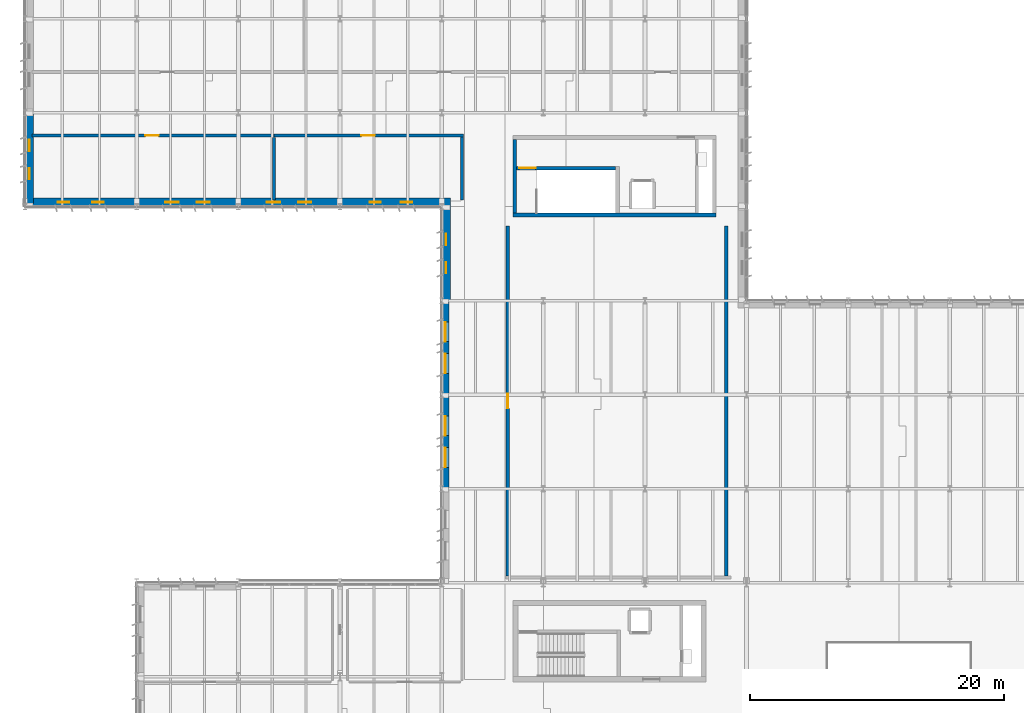
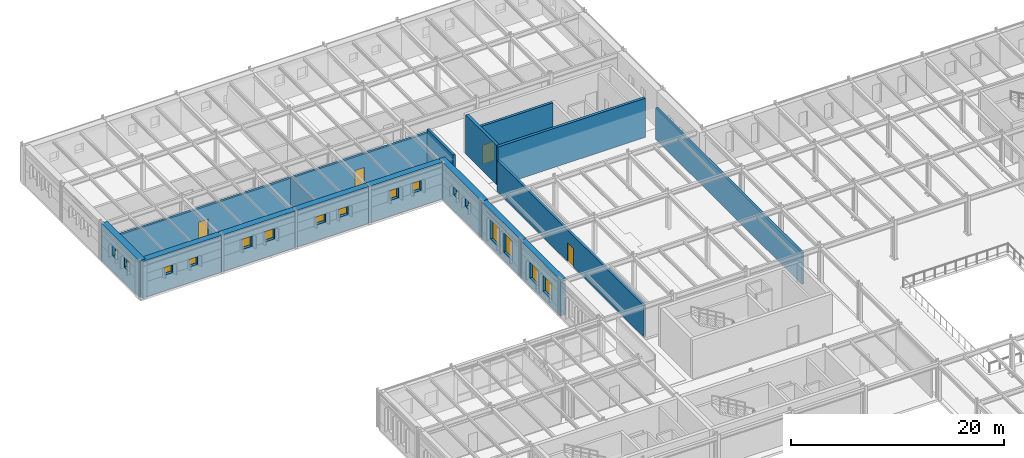
# One storey, part 45 of 75: 17 walls, 16 windows, 4 doors, 20 openings.
"""IFC4 building model written with IfcOpenShell, lengths in metres."""

from ifc_helpers import new_model, si_unit, direction, frame, frame_2d, origin, place, context, subcontext, project, spatial, rectangle, extrude, material, layer, layer_set, type_object, element, fill, save


model = new_model("IFC4")

# Units and contexts
model_context = context("Model", 3, precision=1e-05, world=origin(), true_north=direction((0.0, 1.0)))
body_context = subcontext(model_context, "Body", "Model", "MODEL_VIEW")
ifc_project = project(units=[si_unit("LENGTHUNIT", "METRE"), si_unit("AREAUNIT", "SQUARE_METRE"), si_unit("VOLUMEUNIT", "CUBIC_METRE"), si_unit("PLANEANGLEUNIT", "RADIAN"), si_unit("MASSUNIT", "GRAM", prefix="KILO")], contexts=[model_context])

# Site, building, storey
site_placement = place(None, origin())
site = spatial("IfcSite", under=ifc_project, at=site_placement, CompositionType="ELEMENT")
building_placement = place(site_placement, origin())
building = spatial("IfcBuilding", under=site, at=building_placement, Name="Valkorina Park Police Headquarters", CompositionType="ELEMENT")
storey_placement = place(building_placement, frame((0.0, 0.0, 5.39990234375)))
storey = spatial("IfcBuildingStorey", under=building, at=storey_placement, Name="L02", CompositionType="ELEMENT", Elevation=5.39990234375)

# Walls
ifc_material_1 = material(Name="Concrete C40/50", Category="concrete")
ifc_layer_1 = layer(ifc_material_1, 0.300048828125)
ifc_layer_set_1 = layer_set([ifc_layer_1], Name="Concrete C40/50")
wall_type_1 = type_object("IfcWallType", Name="WL-CORE-300-REI120", PredefinedType="SHEAR", material=ifc_layer_set_1)
wall_1_placement = place(storey_placement, frame((38.39990234375, 88.14990234375, 0.0), z_axis=(0.0, 0.0, 1.0), x_axis=(1.0, 0.0, 0.0)))
element("IfcWall", 1, at=wall_1_placement, inside=storey, type_object=wall_type_1, Name="Core C4 L02 Shear Wall S", PredefinedType="SHEAR", context=body_context, shape_type="SweptSolid", body=[
    extrude(rectangle(XDim=16.0, YDim=0.300048828125, at=frame_2d((8.0, 0.0))), origin(), (0.0, 0.0, 1.0), 4.4951171875),
])
wall_2_placement = place(storey_placement, frame((38.550048828125, 88.300048828125, 0.0), z_axis=(0.0, 0.0, 1.0), x_axis=(0.0, 1.0, 0.0)))
element("IfcWall", 2, at=wall_2_placement, inside=storey, type_object=wall_type_1, Name="Core C4 L02 Shear Wall W", PredefinedType="SHEAR", context=body_context, shape_type="SweptSolid", body=[
    extrude(rectangle(XDim=5.800048828125, YDim=0.300048828125, at=frame_2d((2.89990234375, 0.0))), origin(), (0.0, 0.0, 1.0), 4.4951171875),
])

# Wall, opening, door
ifc_layer_2 = layer(ifc_material_1, 0.25)
ifc_layer_set_2 = layer_set([ifc_layer_2], Name="Concrete C40/50")
wall_type_2 = type_object("IfcWallType", Name="WL-CUST-250-REI120", PredefinedType="SOLIDWALL", material=ifc_layer_set_2)
wall_3_placement = place(storey_placement, frame((0.5400390625, 94.39990234375, 0.0), z_axis=(0.0, 0.0, 1.0), x_axis=(1.0, 0.0, 0.0)))
wall_3 = element("IfcWall", 3, at=wall_3_placement, inside=storey, type_object=wall_type_2, Name="L02 Interior Partition 0133 (L02-CELL-C)", PredefinedType="SOLIDWALL", context=body_context, shape_type="SweptSolid", body=[
    extrude(rectangle(XDim=19.06005859375, YDim=0.25, at=frame_2d((9.530029296875, 0.0))), origin(), (0.0, 0.0, 1.0), 3.710205078125),
])
opening_1_placement = place(wall_3_placement, frame((8.93505859375, 0.0, 0.0)))
opening_1 = element("IfcOpeningElement", 4, at=opening_1_placement, cuts=wall_3, Name="Opening FD-01", PredefinedType="OPENING", context=body_context, shape_type="SweptSolid", body=[
    extrude(rectangle(XDim=1.050048828125, YDim=2.14990234375, at=frame_2d((0.52490234375, 1.074951171875))), frame((0.0, 0.135009765625, 0.0), z_axis=(0.0, -1.0, 0.0), x_axis=(1.0, 0.0, 0.0)), (0.0, 0.0, 1.0), 0.27001953125),
])
ifc_material_2 = material(Name="Galvanized steel door leaf", Category="steel")
ifc_layer_3 = layer(ifc_material_2, 0.050048828125)
ifc_layer_set_3 = layer_set([ifc_layer_3], Name="Galvanized steel door leaf")
door_type_1 = type_object("IfcDoorType", Name="DR-FIRE-CELL-1050x2150", OperationType="NOTDEFINED", PredefinedType="DOOR", material=ifc_layer_set_3)
door_1_placement = place(opening_1_placement, origin())
door_1 = element("IfcDoor", 5, at=door_1_placement, inside=storey, type_object=door_type_1, Name="Door D-L02-I061 (L02-CELL-C)", OperationType="SINGLE_SWING_RIGHT", OverallHeight=2.14990234375, OverallWidth=1.050048828125, PredefinedType="DOOR", context=body_context, shape_type="SweptSolid", body=[
    extrude(rectangle(XDim=1.050048828125, YDim=2.14990234375, at=frame_2d((0.52490234375, 1.074951171875))), frame((0.0, 0.02490234375, 0.0), z_axis=(0.0, -1.0, 0.0), x_axis=(1.0, 0.0, 0.0)), (0.0, 0.0, 1.0), 0.050048828125),
])
fill(opening_1, door_1)

# Wall
wall_4_placement = place(storey_placement, frame((19.60009765625, 89.340087890625, 0.0), z_axis=(0.0, 0.0, 1.0), x_axis=(0.0, 1.0, 0.0)))
element("IfcWall", 6, at=wall_4_placement, inside=storey, type_object=wall_type_2, Name="L02 Interior Partition 0134 (L02-CELL-C)", PredefinedType="SOLIDWALL", context=body_context, shape_type="SweptSolid", body=[
    extrude(rectangle(XDim=4.919921875, YDim=0.25, at=frame_2d((2.4599609375, 0.0))), origin(), (0.0, 0.0, 1.0), 3.840087890625),
])

# Wall, opening, door
wall_5_placement = place(storey_placement, frame((19.60009765625, 94.39990234375, 0.0), z_axis=(0.0, 0.0, 1.0), x_axis=(1.0, 0.0, 0.0)))
wall_5 = element("IfcWall", 7, at=wall_5_placement, inside=storey, type_object=wall_type_2, Name="L02 Interior Partition 0135 (L02-CELL-D)", PredefinedType="SOLIDWALL", context=body_context, shape_type="SweptSolid", body=[
    extrude(rectangle(XDim=14.9248046875, YDim=0.25, at=frame_2d((7.46240234375, 0.0))), origin(), (0.0, 0.0, 1.0), 3.710205078125),
])
opening_2_placement = place(wall_5_placement, frame((6.875, 0.0, 0.0)))
opening_2 = element("IfcOpeningElement", 8, at=opening_2_placement, cuts=wall_5, Name="Opening FD-01", PredefinedType="OPENING", context=body_context, shape_type="SweptSolid", body=[
    extrude(rectangle(XDim=1.050048828125, YDim=2.14990234375, at=frame_2d((0.52490234375, 1.074951171875))), frame((0.0, 0.135009765625, 0.0), z_axis=(0.0, -1.0, 0.0), x_axis=(1.0, 0.0, 0.0)), (0.0, 0.0, 1.0), 0.27001953125),
])
door_2_placement = place(opening_2_placement, origin())
door_2 = element("IfcDoor", 9, at=door_2_placement, inside=storey, type_object=door_type_1, Name="Door D-L02-I062 (L02-CELL-D)", OperationType="SINGLE_SWING_LEFT", OverallHeight=2.14990234375, OverallWidth=1.050048828125, PredefinedType="DOOR", context=body_context, shape_type="SweptSolid", body=[
    extrude(rectangle(XDim=1.050048828125, YDim=2.14990234375, at=frame_2d((0.52490234375, 1.074951171875))), frame((0.0, 0.02490234375, 0.0), z_axis=(0.0, -1.0, 0.0), x_axis=(1.0, 0.0, 0.0)), (0.0, 0.0, 1.0), 0.050048828125),
])
fill(opening_2, door_2)

# Wall
wall_6_placement = place(storey_placement, frame((34.39990234375, 89.340087890625, 0.0), z_axis=(0.0, 0.0, 1.0), x_axis=(0.0, 1.0, 0.0)))
element("IfcWall", 10, at=wall_6_placement, inside=storey, type_object=wall_type_2, Name="L02 Interior Partition 0136 (L02-CELL-D)", PredefinedType="SOLIDWALL", context=body_context, shape_type="SweptSolid", body=[
    extrude(rectangle(XDim=4.934814453125, YDim=0.25, at=frame_2d((2.46728515625, 0.0))), origin(), (0.0, 0.0, 1.0), 4.170166015625),
])

# Wall, opening, door
wall_7_placement = place(storey_placement, frame((38.0, 59.72509765625, 0.0), z_axis=(0.0, 0.0, 1.0), x_axis=(0.0, 1.0, 0.0)))
wall_7 = element("IfcWall", 11, at=wall_7_placement, inside=storey, type_object=wall_type_2, Name="L02 Interior Partition 0139 (L02-CUS-MED)", PredefinedType="SOLIDWALL", context=body_context, shape_type="SweptSolid", body=[
    extrude(rectangle(XDim=27.534912109375, YDim=0.25, at=frame_2d((13.767578125, 0.0))), origin(), (0.0, 0.0, 1.0), 3.60009765625),
])
opening_3_placement = place(wall_7_placement, frame((13.199951171875, 0.0, 0.0)))
opening_3 = element("IfcOpeningElement", 12, at=opening_3_placement, cuts=wall_7, Name="Opening FD-02", PredefinedType="OPENING", context=body_context, shape_type="SweptSolid", body=[
    extrude(rectangle(XDim=1.14990234375, YDim=2.14990234375, at=frame_2d((0.574951171875, 1.074951171875))), frame((0.0, 0.135009765625, 0.0), z_axis=(0.0, -1.0, 0.0), x_axis=(1.0, 0.0, 0.0)), (0.0, 0.0, 1.0), 0.27001953125),
])
ifc_layer_4 = layer(ifc_material_2, 0.050048828125)
ifc_layer_set_4 = layer_set([ifc_layer_4], Name="Galvanized steel door leaf")
door_type_2 = type_object("IfcDoorType", Name="DR-FIRE-CUST-1150x2150", OperationType="NOTDEFINED", PredefinedType="DOOR", material=ifc_layer_set_4)
door_3_placement = place(opening_3_placement, origin())
door_3 = element("IfcDoor", 13, at=door_3_placement, inside=storey, type_object=door_type_2, Name="Door D-L02-I064 (L02-CUS-MED)", OperationType="SINGLE_SWING_LEFT", OverallHeight=2.14990234375, OverallWidth=1.14990234375, PredefinedType="DOOR", context=body_context, shape_type="SweptSolid", body=[
    extrude(rectangle(XDim=1.14990234375, YDim=2.14990234375, at=frame_2d((0.574951171875, 1.074951171875))), frame((0.0, 0.02490234375, 0.0), z_axis=(0.0, -1.0, 0.0), x_axis=(1.0, 0.0, 0.0)), (0.0, 0.0, 1.0), 0.050048828125),
])
fill(opening_3, door_3)

# Wall
wall_8_placement = place(storey_placement, frame((55.199951171875, 59.72509765625, 0.0), z_axis=(0.0, 0.0, 1.0), x_axis=(0.0, 1.0, 0.0)))
element("IfcWall", 14, at=wall_8_placement, inside=storey, type_object=wall_type_2, Name="L02 Interior Partition 0140 (L02-CUS-MED)", PredefinedType="SOLIDWALL", context=body_context, shape_type="SweptSolid", body=[
    extrude(rectangle(XDim=27.534912109375, YDim=0.25, at=frame_2d((13.767578125, 0.0))), origin(), (0.0, 0.0, 1.0), 3.60009765625),
])

# Wall, openings, windows
ifc_material_3 = material(Name="Concrete C35/45", Category="concrete")
ifc_layer_5 = layer(ifc_material_3, 0.580078125)
ifc_layer_set_5 = layer_set([ifc_layer_5], Name="Concrete C35/45")
wall_type_3 = type_object("IfcWallType", Name="WL-EXT-BOARD-580", PredefinedType="STANDARD", material=ifc_layer_set_5)
wall_9_placement = place(storey_placement, frame((33.090087890625, 66.60009765625, 0.0), z_axis=(0.0, 0.0, 1.0), x_axis=(0.0, 1.0, 0.0)))
wall_9 = element("IfcWall", 15, at=wall_9_placement, inside=storey, type_object=wall_type_3, Name="L02 Architectural Concrete Exterior Wall 0114", PredefinedType="STANDARD", context=body_context, shape_type="SweptSolid", body=[
    extrude(rectangle(XDim=7.39990234375, YDim=0.580078125, at=frame_2d((3.699951171875, 0.0))), origin(), (0.0, 0.0, 1.0), 4.170166015625),
])
opening_4_placement = place(wall_9_placement, frame((1.677490234375, 0.0, 0.89990234375)))
opening_4 = element("IfcOpeningElement", 16, at=opening_4_placement, cuts=wall_9, Name="Opening WN-26", PredefinedType="OPENING", context=body_context, shape_type="SweptSolid", body=[
    extrude(rectangle(XDim=1.550048828125, YDim=1.85009765625, at=frame_2d((0.77490234375, 0.925048828125))), frame((0.0, 0.300048828125, 0.0), z_axis=(0.0, -1.0, 0.0), x_axis=(1.0, 0.0, 0.0)), (0.0, 0.0, 1.0), 0.60009765625),
])
opening_5_placement = place(wall_9_placement, frame((4.17236328125, 0.0, 0.89990234375)))
opening_5 = element("IfcOpeningElement", 17, at=opening_5_placement, cuts=wall_9, Name="Opening WN-26", PredefinedType="OPENING", context=body_context, shape_type="SweptSolid", body=[
    extrude(rectangle(XDim=1.550048828125, YDim=1.85009765625, at=frame_2d((0.77490234375, 0.925048828125))), frame((0.0, 0.300048828125, 0.0), z_axis=(0.0, -1.0, 0.0), x_axis=(1.0, 0.0, 0.0)), (0.0, 0.0, 1.0), 0.60009765625),
])
ifc_material_4 = material(Name="Triple low-E insulated glazing", Category="glass")
ifc_layer_6 = layer(ifc_material_4, 0.06005859375)
ifc_layer_set_6 = layer_set([ifc_layer_6], Name="Triple low-E insulated glazing")
window_type_1 = type_object("IfcWindowType", Name="WN-COURT-1550x1850", PartitioningType="SINGLE_PANEL", PredefinedType="WINDOW", material=ifc_layer_set_6)
window_1_placement = place(opening_4_placement, origin())
window_1 = element("IfcWindow", 18, at=window_1_placement, inside=storey, type_object=window_type_1, Name="Window L02-0180", OverallHeight=1.85009765625, OverallWidth=1.550048828125, PartitioningType="SINGLE_PANEL", PredefinedType="WINDOW", context=body_context, shape_type="SweptSolid", body=[
    extrude(rectangle(XDim=1.550048828125, YDim=1.85009765625, at=frame_2d((0.77490234375, 0.925048828125))), frame((0.0, 0.030029296875, 0.0), z_axis=(0.0, -1.0, 0.0), x_axis=(1.0, 0.0, 0.0)), (0.0, 0.0, 1.0), 0.06005859375),
])
fill(opening_4, window_1)
window_2_placement = place(opening_5_placement, origin())
window_2 = element("IfcWindow", 19, at=window_2_placement, inside=storey, type_object=window_type_1, Name="Window L02-0181", OverallHeight=1.85009765625, OverallWidth=1.550048828125, PartitioningType="SINGLE_PANEL", PredefinedType="WINDOW", context=body_context, shape_type="SweptSolid", body=[
    extrude(rectangle(XDim=1.550048828125, YDim=1.85009765625, at=frame_2d((0.77490234375, 0.925048828125))), frame((0.0, 0.030029296875, 0.0), z_axis=(0.0, -1.0, 0.0), x_axis=(1.0, 0.0, 0.0)), (0.0, 0.0, 1.0), 0.06005859375),
])
fill(opening_5, window_2)

wall_10_placement = place(storey_placement, frame((33.090087890625, 74.0, 0.0), z_axis=(0.0, 0.0, 1.0), x_axis=(0.0, 1.0, 0.0)))
wall_10 = element("IfcWall", 20, at=wall_10_placement, inside=storey, type_object=wall_type_3, Name="L02 Architectural Concrete Exterior Wall 0115", PredefinedType="STANDARD", context=body_context, shape_type="SweptSolid", body=[
    extrude(rectangle(XDim=7.39990234375, YDim=0.580078125, at=frame_2d((3.699951171875, 0.0))), origin(), (0.0, 0.0, 1.0), 4.22021484375),
])
opening_6_placement = place(wall_10_placement, frame((1.677490234375, 0.0, 0.89990234375)))
opening_6 = element("IfcOpeningElement", 21, at=opening_6_placement, cuts=wall_10, Name="Opening WN-27", PredefinedType="OPENING", context=body_context, shape_type="SweptSolid", body=[
    extrude(rectangle(XDim=1.550048828125, YDim=2.25, at=frame_2d((0.77490234375, 1.125))), frame((0.0, 0.300048828125, 0.0), z_axis=(0.0, -1.0, 0.0), x_axis=(1.0, 0.0, 0.0)), (0.0, 0.0, 1.0), 0.60009765625),
])
opening_7_placement = place(wall_10_placement, frame((4.17236328125, 0.0, 0.89990234375)))
opening_7 = element("IfcOpeningElement", 22, at=opening_7_placement, cuts=wall_10, Name="Opening WN-27", PredefinedType="OPENING", context=body_context, shape_type="SweptSolid", body=[
    extrude(rectangle(XDim=1.550048828125, YDim=2.25, at=frame_2d((0.77490234375, 1.125))), frame((0.0, 0.300048828125, 0.0), z_axis=(0.0, -1.0, 0.0), x_axis=(1.0, 0.0, 0.0)), (0.0, 0.0, 1.0), 0.60009765625),
])
ifc_layer_7 = layer(ifc_material_4, 0.06005859375)
ifc_layer_set_7 = layer_set([ifc_layer_7], Name="Triple low-E insulated glazing")
window_type_2 = type_object("IfcWindowType", Name="WN-COURT-1550x2250", PartitioningType="SINGLE_PANEL", PredefinedType="WINDOW", material=ifc_layer_set_7)
window_3_placement = place(opening_6_placement, origin())
window_3 = element("IfcWindow", 23, at=window_3_placement, inside=storey, type_object=window_type_2, Name="Window L02-0182", OverallHeight=2.25, OverallWidth=1.550048828125, PartitioningType="SINGLE_PANEL", PredefinedType="WINDOW", context=body_context, shape_type="SweptSolid", body=[
    extrude(rectangle(XDim=1.550048828125, YDim=2.25, at=frame_2d((0.77490234375, 1.125))), frame((0.0, 0.030029296875, 0.0), z_axis=(0.0, -1.0, 0.0), x_axis=(1.0, 0.0, 0.0)), (0.0, 0.0, 1.0), 0.06005859375),
])
fill(opening_6, window_3)
window_4_placement = place(opening_7_placement, origin())
window_4 = element("IfcWindow", 24, at=window_4_placement, inside=storey, type_object=window_type_2, Name="Window L02-0183", OverallHeight=2.25, OverallWidth=1.550048828125, PartitioningType="SINGLE_PANEL", PredefinedType="WINDOW", context=body_context, shape_type="SweptSolid", body=[
    extrude(rectangle(XDim=1.550048828125, YDim=2.25, at=frame_2d((0.77490234375, 1.125))), frame((0.0, 0.030029296875, 0.0), z_axis=(0.0, -1.0, 0.0), x_axis=(1.0, 0.0, 0.0)), (0.0, 0.0, 1.0), 0.06005859375),
])
fill(opening_7, window_4)

ifc_material_5 = material(Name="Precast concrete C40/50", Category="concrete")
ifc_layer_8 = layer(ifc_material_5, 0.679931640625)
ifc_layer_set_8 = layer_set([ifc_layer_8], Name="Precast concrete C40/50")
wall_type_4 = type_object("IfcWallType", Name="WL-EXT-DOLOMITE-680", PredefinedType="SOLIDWALL", material=ifc_layer_set_8)
wall_11_placement = place(storey_placement, frame((33.139892578125, 81.39990234375, 0.0), z_axis=(0.0, 0.0, 1.0), x_axis=(0.0, 1.0, 0.0)))
wall_11 = element("IfcWall", 25, at=wall_11_placement, inside=storey, type_object=wall_type_4, Name="L02 Architectural Concrete Exterior Wall 0116", PredefinedType="SOLIDWALL", context=body_context, shape_type="SweptSolid", body=[
    extrude(rectangle(XDim=8.080078125, YDim=0.679931640625, at=frame_2d((4.0400390625, 0.0))), origin(), (0.0, 0.0, 1.0), 4.22021484375),
])
opening_8_placement = place(wall_11_placement, frame((2.14111328125, 0.0, 1.800048828125)))
opening_8 = element("IfcOpeningElement", 26, at=opening_8_placement, cuts=wall_11, Name="Opening WN-13", PredefinedType="OPENING", context=body_context, shape_type="SweptSolid", body=[
    extrude(rectangle(XDim=0.89990234375, YDim=0.89990234375, at=frame_2d((0.449951171875, 0.449951171875))), frame((0.0, 0.35009765625, 0.0), z_axis=(0.0, -1.0, 0.0), x_axis=(1.0, 0.0, 0.0)), (0.0, 0.0, 1.0), 0.699951171875),
])
opening_9_placement = place(wall_11_placement, frame((4.35888671875, 0.0, 1.800048828125)))
opening_9 = element("IfcOpeningElement", 27, at=opening_9_placement, cuts=wall_11, Name="Opening WN-13", PredefinedType="OPENING", context=body_context, shape_type="SweptSolid", body=[
    extrude(rectangle(XDim=0.89990234375, YDim=0.89990234375, at=frame_2d((0.449951171875, 0.449951171875))), frame((0.0, 0.35009765625, 0.0), z_axis=(0.0, -1.0, 0.0), x_axis=(1.0, 0.0, 0.0)), (0.0, 0.0, 1.0), 0.699951171875),
])
ifc_material_6 = material(Name="Ballistic laminated glazing BR4-NS", Category="glass")
ifc_layer_9 = layer(ifc_material_6, 0.06005859375)
ifc_layer_set_9 = layer_set([ifc_layer_9], Name="Ballistic laminated glazing BR4-NS")
window_type_3 = type_object("IfcWindowType", Name="WN-CUST-900x900", PartitioningType="SINGLE_PANEL", PredefinedType="WINDOW", material=ifc_layer_set_9)
window_5_placement = place(opening_8_placement, origin())
window_5 = element("IfcWindow", 28, at=window_5_placement, inside=storey, type_object=window_type_3, Name="Window L02-0184", OverallHeight=0.89990234375, OverallWidth=0.89990234375, PartitioningType="SINGLE_PANEL", PredefinedType="WINDOW", context=body_context, shape_type="SweptSolid", body=[
    extrude(rectangle(XDim=0.89990234375, YDim=0.89990234375, at=frame_2d((0.449951171875, 0.449951171875))), frame((0.0, 0.030029296875, 0.0), z_axis=(0.0, -1.0, 0.0), x_axis=(1.0, 0.0, 0.0)), (0.0, 0.0, 1.0), 0.06005859375),
])
fill(opening_8, window_5)
window_6_placement = place(opening_9_placement, origin())
window_6 = element("IfcWindow", 29, at=window_6_placement, inside=storey, type_object=window_type_3, Name="Window L02-0185", OverallHeight=0.89990234375, OverallWidth=0.89990234375, PartitioningType="SINGLE_PANEL", PredefinedType="WINDOW", context=body_context, shape_type="SweptSolid", body=[
    extrude(rectangle(XDim=0.89990234375, YDim=0.89990234375, at=frame_2d((0.449951171875, 0.449951171875))), frame((0.0, 0.030029296875, 0.0), z_axis=(0.0, -1.0, 0.0), x_axis=(1.0, 0.0, 0.0)), (0.0, 0.0, 1.0), 0.06005859375),
])
fill(opening_9, window_6)

wall_12_placement = place(storey_placement, frame((32.800048828125, 89.139892578125, 0.0), z_axis=(0.0, 0.0, 1.0), x_axis=(-1.0, 0.0, 0.0)))
wall_12 = element("IfcWall", 30, at=wall_12_placement, inside=storey, type_object=wall_type_4, Name="L02 Architectural Concrete Exterior Wall 0117", PredefinedType="SOLIDWALL", context=body_context, shape_type="SweptSolid", body=[
    extrude(rectangle(XDim=8.0, YDim=0.679931640625, at=frame_2d((4.0, 0.0))), origin(), (0.0, 0.0, 1.0), 4.22021484375),
])
opening_10_placement = place(wall_12_placement, frame((2.3212890625, 0.0, 1.800048828125)))
opening_10 = element("IfcOpeningElement", 31, at=opening_10_placement, cuts=wall_12, Name="Opening WN-14", PredefinedType="OPENING", context=body_context, shape_type="SweptSolid", body=[
    extrude(rectangle(XDim=0.89990234375, YDim=1.14990234375, at=frame_2d((0.449951171875, 0.574951171875))), frame((0.0, 0.35009765625, 0.0), z_axis=(0.0, -1.0, 0.0), x_axis=(1.0, 0.0, 0.0)), (0.0, 0.0, 1.0), 0.699951171875),
])
opening_11_placement = place(wall_12_placement, frame((4.77880859375, 0.0, 1.800048828125)))
opening_11 = element("IfcOpeningElement", 32, at=opening_11_placement, cuts=wall_12, Name="Opening WN-14", PredefinedType="OPENING", context=body_context, shape_type="SweptSolid", body=[
    extrude(rectangle(XDim=0.89990234375, YDim=1.14990234375, at=frame_2d((0.449951171875, 0.574951171875))), frame((0.0, 0.35009765625, 0.0), z_axis=(0.0, -1.0, 0.0), x_axis=(1.0, 0.0, 0.0)), (0.0, 0.0, 1.0), 0.699951171875),
])
ifc_layer_10 = layer(ifc_material_6, 0.06005859375)
ifc_layer_set_10 = layer_set([ifc_layer_10], Name="Ballistic laminated glazing BR4-NS")
window_type_4 = type_object("IfcWindowType", Name="WN-CUST-900x1150", PartitioningType="SINGLE_PANEL", PredefinedType="WINDOW", material=ifc_layer_set_10)
window_7_placement = place(opening_10_placement, origin())
window_7 = element("IfcWindow", 33, at=window_7_placement, inside=storey, type_object=window_type_4, Name="Window L02-0186", OverallHeight=1.14990234375, OverallWidth=0.89990234375, PartitioningType="SINGLE_PANEL", PredefinedType="WINDOW", context=body_context, shape_type="SweptSolid", body=[
    extrude(rectangle(XDim=0.89990234375, YDim=1.14990234375, at=frame_2d((0.449951171875, 0.574951171875))), frame((0.0, 0.030029296875, 0.0), z_axis=(0.0, -1.0, 0.0), x_axis=(1.0, 0.0, 0.0)), (0.0, 0.0, 1.0), 0.06005859375),
])
fill(opening_10, window_7)
window_8_placement = place(opening_11_placement, origin())
window_8 = element("IfcWindow", 34, at=window_8_placement, inside=storey, type_object=window_type_4, Name="Window L02-0187", OverallHeight=1.14990234375, OverallWidth=0.89990234375, PartitioningType="SINGLE_PANEL", PredefinedType="WINDOW", context=body_context, shape_type="SweptSolid", body=[
    extrude(rectangle(XDim=0.89990234375, YDim=1.14990234375, at=frame_2d((0.449951171875, 0.574951171875))), frame((0.0, 0.030029296875, 0.0), z_axis=(0.0, -1.0, 0.0), x_axis=(1.0, 0.0, 0.0)), (0.0, 0.0, 1.0), 0.06005859375),
])
fill(opening_11, window_8)

wall_13_placement = place(storey_placement, frame((24.800048828125, 89.139892578125, 0.0), z_axis=(0.0, 0.0, 1.0), x_axis=(-1.0, 0.0, 0.0)))
wall_13 = element("IfcWall", 35, at=wall_13_placement, inside=storey, type_object=wall_type_4, Name="L02 Architectural Concrete Exterior Wall 0118", PredefinedType="SOLIDWALL", context=body_context, shape_type="SweptSolid", body=[
    extrude(rectangle(XDim=8.0, YDim=0.679931640625, at=frame_2d((4.0, 0.0))), origin(), (0.0, 0.0, 1.0), 4.22021484375),
])
opening_12_placement = place(wall_13_placement, frame((2.24609375, 0.0, 1.800048828125)))
opening_12 = element("IfcOpeningElement", 36, at=opening_12_placement, cuts=wall_13, Name="Opening WN-15", PredefinedType="OPENING", context=body_context, shape_type="SweptSolid", body=[
    extrude(rectangle(XDim=1.050048828125, YDim=0.949951171875, at=frame_2d((0.52490234375, 0.47509765625))), frame((0.0, 0.35009765625, 0.0), z_axis=(0.0, -1.0, 0.0), x_axis=(1.0, 0.0, 0.0)), (0.0, 0.0, 1.0), 0.699951171875),
])
opening_13_placement = place(wall_13_placement, frame((4.703857421875, 0.0, 1.800048828125)))
opening_13 = element("IfcOpeningElement", 37, at=opening_13_placement, cuts=wall_13, Name="Opening WN-15", PredefinedType="OPENING", context=body_context, shape_type="SweptSolid", body=[
    extrude(rectangle(XDim=1.050048828125, YDim=0.949951171875, at=frame_2d((0.52490234375, 0.47509765625))), frame((0.0, 0.35009765625, 0.0), z_axis=(0.0, -1.0, 0.0), x_axis=(1.0, 0.0, 0.0)), (0.0, 0.0, 1.0), 0.699951171875),
])
ifc_layer_11 = layer(ifc_material_6, 0.06005859375)
ifc_layer_set_11 = layer_set([ifc_layer_11], Name="Ballistic laminated glazing BR4-NS")
window_type_5 = type_object("IfcWindowType", Name="WN-CUST-1050x950", PartitioningType="SINGLE_PANEL", PredefinedType="WINDOW", material=ifc_layer_set_11)
window_9_placement = place(opening_12_placement, origin())
window_9 = element("IfcWindow", 38, at=window_9_placement, inside=storey, type_object=window_type_5, Name="Window L02-0188", OverallHeight=0.949951171875, OverallWidth=1.050048828125, PartitioningType="SINGLE_PANEL", PredefinedType="WINDOW", context=body_context, shape_type="SweptSolid", body=[
    extrude(rectangle(XDim=1.050048828125, YDim=0.949951171875, at=frame_2d((0.52490234375, 0.47509765625))), frame((0.0, 0.030029296875, 0.0), z_axis=(0.0, -1.0, 0.0), x_axis=(1.0, 0.0, 0.0)), (0.0, 0.0, 1.0), 0.06005859375),
])
fill(opening_12, window_9)
window_10_placement = place(opening_13_placement, origin())
window_10 = element("IfcWindow", 39, at=window_10_placement, inside=storey, type_object=window_type_5, Name="Window L02-0189", OverallHeight=0.949951171875, OverallWidth=1.050048828125, PartitioningType="SINGLE_PANEL", PredefinedType="WINDOW", context=body_context, shape_type="SweptSolid", body=[
    extrude(rectangle(XDim=1.050048828125, YDim=0.949951171875, at=frame_2d((0.52490234375, 0.47509765625))), frame((0.0, 0.030029296875, 0.0), z_axis=(0.0, -1.0, 0.0), x_axis=(1.0, 0.0, 0.0)), (0.0, 0.0, 1.0), 0.06005859375),
])
fill(opening_13, window_10)

wall_14_placement = place(storey_placement, frame((16.800048828125, 89.139892578125, 0.0), z_axis=(0.0, 0.0, 1.0), x_axis=(-1.0, 0.0, 0.0)))
wall_14 = element("IfcWall", 40, at=wall_14_placement, inside=storey, type_object=wall_type_4, Name="L02 Architectural Concrete Exterior Wall 0119", PredefinedType="SOLIDWALL", context=body_context, shape_type="SweptSolid", body=[
    extrude(rectangle(XDim=8.0, YDim=0.679931640625, at=frame_2d((4.0, 0.0))), origin(), (0.0, 0.0, 1.0), 4.22021484375),
])
opening_14_placement = place(wall_14_placement, frame((2.24609375, 0.0, 1.800048828125)))
opening_14 = element("IfcOpeningElement", 41, at=opening_14_placement, cuts=wall_14, Name="Opening WN-16", PredefinedType="OPENING", context=body_context, shape_type="SweptSolid", body=[
    extrude(rectangle(XDim=1.050048828125, YDim=1.199951171875, at=frame_2d((0.52490234375, 0.60009765625))), frame((0.0, 0.35009765625, 0.0), z_axis=(0.0, -1.0, 0.0), x_axis=(1.0, 0.0, 0.0)), (0.0, 0.0, 1.0), 0.699951171875),
])
opening_15_placement = place(wall_14_placement, frame((4.703857421875, 0.0, 1.800048828125)))
opening_15 = element("IfcOpeningElement", 42, at=opening_15_placement, cuts=wall_14, Name="Opening WN-16", PredefinedType="OPENING", context=body_context, shape_type="SweptSolid", body=[
    extrude(rectangle(XDim=1.050048828125, YDim=1.199951171875, at=frame_2d((0.52490234375, 0.60009765625))), frame((0.0, 0.35009765625, 0.0), z_axis=(0.0, -1.0, 0.0), x_axis=(1.0, 0.0, 0.0)), (0.0, 0.0, 1.0), 0.699951171875),
])
ifc_layer_12 = layer(ifc_material_6, 0.06005859375)
ifc_layer_set_12 = layer_set([ifc_layer_12], Name="Ballistic laminated glazing BR4-NS")
window_type_6 = type_object("IfcWindowType", Name="WN-CUST-1050x1200", PartitioningType="SINGLE_PANEL", PredefinedType="WINDOW", material=ifc_layer_set_12)
window_11_placement = place(opening_14_placement, origin())
window_11 = element("IfcWindow", 43, at=window_11_placement, inside=storey, type_object=window_type_6, Name="Window L02-0190", OverallHeight=1.199951171875, OverallWidth=1.050048828125, PartitioningType="SINGLE_PANEL", PredefinedType="WINDOW", context=body_context, shape_type="SweptSolid", body=[
    extrude(rectangle(XDim=1.050048828125, YDim=1.199951171875, at=frame_2d((0.52490234375, 0.60009765625))), frame((0.0, 0.030029296875, 0.0), z_axis=(0.0, -1.0, 0.0), x_axis=(1.0, 0.0, 0.0)), (0.0, 0.0, 1.0), 0.06005859375),
])
fill(opening_14, window_11)
window_12_placement = place(opening_15_placement, origin())
window_12 = element("IfcWindow", 44, at=window_12_placement, inside=storey, type_object=window_type_6, Name="Window L02-0191", OverallHeight=1.199951171875, OverallWidth=1.050048828125, PartitioningType="SINGLE_PANEL", PredefinedType="WINDOW", context=body_context, shape_type="SweptSolid", body=[
    extrude(rectangle(XDim=1.050048828125, YDim=1.199951171875, at=frame_2d((0.52490234375, 0.60009765625))), frame((0.0, 0.030029296875, 0.0), z_axis=(0.0, -1.0, 0.0), x_axis=(1.0, 0.0, 0.0)), (0.0, 0.0, 1.0), 0.06005859375),
])
fill(opening_15, window_12)

wall_15_placement = place(storey_placement, frame((8.800048828125, 89.139892578125, 0.0), z_axis=(0.0, 0.0, 1.0), x_axis=(-1.0, 0.0, 0.0)))
wall_15 = element("IfcWall", 45, at=wall_15_placement, inside=storey, type_object=wall_type_4, Name="L02 Architectural Concrete Exterior Wall 0120", PredefinedType="SOLIDWALL", context=body_context, shape_type="SweptSolid", body=[
    extrude(rectangle(XDim=8.64013671875, YDim=0.679931640625, at=frame_2d((4.320068359375, 0.0))), origin(), (0.0, 0.0, 1.0), 4.22021484375),
])
opening_16_placement = place(wall_15_placement, frame((2.59326171875, 0.0, 1.800048828125)))
opening_16 = element("IfcOpeningElement", 46, at=opening_16_placement, cuts=wall_15, Name="Opening WN-13", PredefinedType="OPENING", context=body_context, shape_type="SweptSolid", body=[
    extrude(rectangle(XDim=0.89990234375, YDim=0.89990234375, at=frame_2d((0.449951171875, 0.449951171875))), frame((0.0, 0.35009765625, 0.0), z_axis=(0.0, -1.0, 0.0), x_axis=(1.0, 0.0, 0.0)), (0.0, 0.0, 1.0), 0.699951171875),
])
opening_17_placement = place(wall_15_placement, frame((5.306884765625, 0.0, 1.800048828125)))
opening_17 = element("IfcOpeningElement", 47, at=opening_17_placement, cuts=wall_15, Name="Opening WN-13", PredefinedType="OPENING", context=body_context, shape_type="SweptSolid", body=[
    extrude(rectangle(XDim=0.89990234375, YDim=0.89990234375, at=frame_2d((0.449951171875, 0.449951171875))), frame((0.0, 0.35009765625, 0.0), z_axis=(0.0, -1.0, 0.0), x_axis=(1.0, 0.0, 0.0)), (0.0, 0.0, 1.0), 0.699951171875),
])
window_13_placement = place(opening_16_placement, origin())
window_13 = element("IfcWindow", 48, at=window_13_placement, inside=storey, type_object=window_type_3, Name="Window L02-0192", OverallHeight=0.89990234375, OverallWidth=0.89990234375, PartitioningType="SINGLE_PANEL", PredefinedType="WINDOW", context=body_context, shape_type="SweptSolid", body=[
    extrude(rectangle(XDim=0.89990234375, YDim=0.89990234375, at=frame_2d((0.449951171875, 0.449951171875))), frame((0.0, 0.030029296875, 0.0), z_axis=(0.0, -1.0, 0.0), x_axis=(1.0, 0.0, 0.0)), (0.0, 0.0, 1.0), 0.06005859375),
])
fill(opening_16, window_13)
window_14_placement = place(opening_17_placement, origin())
window_14 = element("IfcWindow", 49, at=window_14_placement, inside=storey, type_object=window_type_3, Name="Window L02-0193", OverallHeight=0.89990234375, OverallWidth=0.89990234375, PartitioningType="SINGLE_PANEL", PredefinedType="WINDOW", context=body_context, shape_type="SweptSolid", body=[
    extrude(rectangle(XDim=0.89990234375, YDim=0.89990234375, at=frame_2d((0.449951171875, 0.449951171875))), frame((0.0, 0.030029296875, 0.0), z_axis=(0.0, -1.0, 0.0), x_axis=(1.0, 0.0, 0.0)), (0.0, 0.0, 1.0), 0.06005859375),
])
fill(opening_17, window_14)

wall_16_placement = place(storey_placement, frame((0.340087890625, 89.034912109375, 0.0), z_axis=(0.0, 0.0, 1.0), x_axis=(0.0, 1.0, 0.0)))
wall_16 = element("IfcWall", 50, at=wall_16_placement, inside=storey, type_object=wall_type_4, Name="L02 Architectural Concrete Exterior Wall 0121", PredefinedType="SOLIDWALL", context=body_context, shape_type="SweptSolid", body=[
    extrude(rectangle(XDim=7.1650390625, YDim=0.679931640625, at=frame_2d((3.58251953125, 0.0))), origin(), (0.0, 0.0, 1.0), 4.22021484375),
])
opening_18_placement = place(wall_16_placement, frame((1.90625, 0.0, 1.800048828125)))
opening_18 = element("IfcOpeningElement", 51, at=opening_18_placement, cuts=wall_16, Name="Opening WN-14", PredefinedType="OPENING", context=body_context, shape_type="SweptSolid", body=[
    extrude(rectangle(XDim=0.89990234375, YDim=1.14990234375, at=frame_2d((0.449951171875, 0.574951171875))), frame((0.0, 0.35009765625, 0.0), z_axis=(0.0, -1.0, 0.0), x_axis=(1.0, 0.0, 0.0)), (0.0, 0.0, 1.0), 0.699951171875),
])
opening_19_placement = place(wall_16_placement, frame((4.123779296875, 0.0, 1.800048828125)))
opening_19 = element("IfcOpeningElement", 52, at=opening_19_placement, cuts=wall_16, Name="Opening WN-14", PredefinedType="OPENING", context=body_context, shape_type="SweptSolid", body=[
    extrude(rectangle(XDim=0.89990234375, YDim=1.14990234375, at=frame_2d((0.449951171875, 0.574951171875))), frame((0.0, 0.35009765625, 0.0), z_axis=(0.0, -1.0, 0.0), x_axis=(1.0, 0.0, 0.0)), (0.0, 0.0, 1.0), 0.699951171875),
])
window_15_placement = place(opening_18_placement, origin())
window_15 = element("IfcWindow", 53, at=window_15_placement, inside=storey, type_object=window_type_4, Name="Window L02-0194", OverallHeight=1.14990234375, OverallWidth=0.89990234375, PartitioningType="SINGLE_PANEL", PredefinedType="WINDOW", context=body_context, shape_type="SweptSolid", body=[
    extrude(rectangle(XDim=0.89990234375, YDim=1.14990234375, at=frame_2d((0.449951171875, 0.574951171875))), frame((0.0, 0.030029296875, 0.0), z_axis=(0.0, -1.0, 0.0), x_axis=(1.0, 0.0, 0.0)), (0.0, 0.0, 1.0), 0.06005859375),
])
fill(opening_18, window_15)
window_16_placement = place(opening_19_placement, origin())
window_16 = element("IfcWindow", 54, at=window_16_placement, inside=storey, type_object=window_type_4, Name="Window L02-0195", OverallHeight=1.14990234375, OverallWidth=0.89990234375, PartitioningType="SINGLE_PANEL", PredefinedType="WINDOW", context=body_context, shape_type="SweptSolid", body=[
    extrude(rectangle(XDim=0.89990234375, YDim=1.14990234375, at=frame_2d((0.449951171875, 0.574951171875))), frame((0.0, 0.030029296875, 0.0), z_axis=(0.0, -1.0, 0.0), x_axis=(1.0, 0.0, 0.0)), (0.0, 0.0, 1.0), 0.06005859375),
])
fill(opening_19, window_16)

# Wall, opening, door
ifc_layer_13 = layer(ifc_material_1, 0.280029296875)
ifc_layer_set_13 = layer_set([ifc_layer_13], Name="Concrete C40/50")
wall_type_5 = type_object("IfcWallType", Name="WL-STAIR-280-REI120", PredefinedType="SHEAR", material=ifc_layer_set_13)
wall_17_placement = place(storey_placement, frame((38.699951171875, 91.840087890625, 0.0), z_axis=(0.0, 0.0, 1.0), x_axis=(1.0, 0.0, 0.0)))
wall_17 = element("IfcWall", 55, at=wall_17_placement, inside=storey, type_object=wall_type_5, Name="Core C4 L02 Shear Wall SIDE", PredefinedType="SHEAR", context=body_context, shape_type="SweptSolid", body=[
    extrude(rectangle(XDim=7.800048828125, YDim=0.280029296875, at=frame_2d((3.89990234375, 0.0))), origin(), (0.0, 0.0, 1.0), 4.4951171875),
])
opening_20_placement = place(wall_17_placement, frame((0.199951171875, 0.0, 0.0)))
opening_20 = element("IfcOpeningElement", 56, at=opening_20_placement, cuts=wall_17, Name="Opening FD-03", PredefinedType="OPENING", context=body_context, shape_type="SweptSolid", body=[
    extrude(rectangle(XDim=1.300048828125, YDim=2.199951171875, at=frame_2d((0.64990234375, 1.10009765625))), frame((0.0, 0.14990234375, 0.0), z_axis=(0.0, -1.0, 0.0), x_axis=(1.0, 0.0, 0.0)), (0.0, 0.0, 1.0), 0.300048828125),
])
ifc_layer_14 = layer(ifc_material_2, 0.050048828125)
ifc_layer_set_14 = layer_set([ifc_layer_14], Name="Galvanized steel door leaf")
door_type_3 = type_object("IfcDoorType", Name="DR-FIRE-STAIR-1300x2200", OperationType="NOTDEFINED", PredefinedType="DOOR", material=ifc_layer_set_14)
door_4_placement = place(opening_20_placement, origin())
door_4 = element("IfcDoor", 57, at=door_4_placement, inside=storey, type_object=door_type_3, Name="Door D-L02-C135 (ST-04 Stair Fire Door)", OperationType="SINGLE_SWING_RIGHT", OverallHeight=2.199951171875, OverallWidth=1.300048828125, PredefinedType="DOOR", context=body_context, shape_type="SweptSolid", body=[
    extrude(rectangle(XDim=1.300048828125, YDim=2.199951171875, at=frame_2d((0.64990234375, 1.10009765625))), frame((0.0, 0.02490234375, 0.0), z_axis=(0.0, -1.0, 0.0), x_axis=(1.0, 0.0, 0.0)), (0.0, 0.0, 1.0), 0.050048828125),
])
fill(opening_20, door_4)

save(model, "model.ifc")
